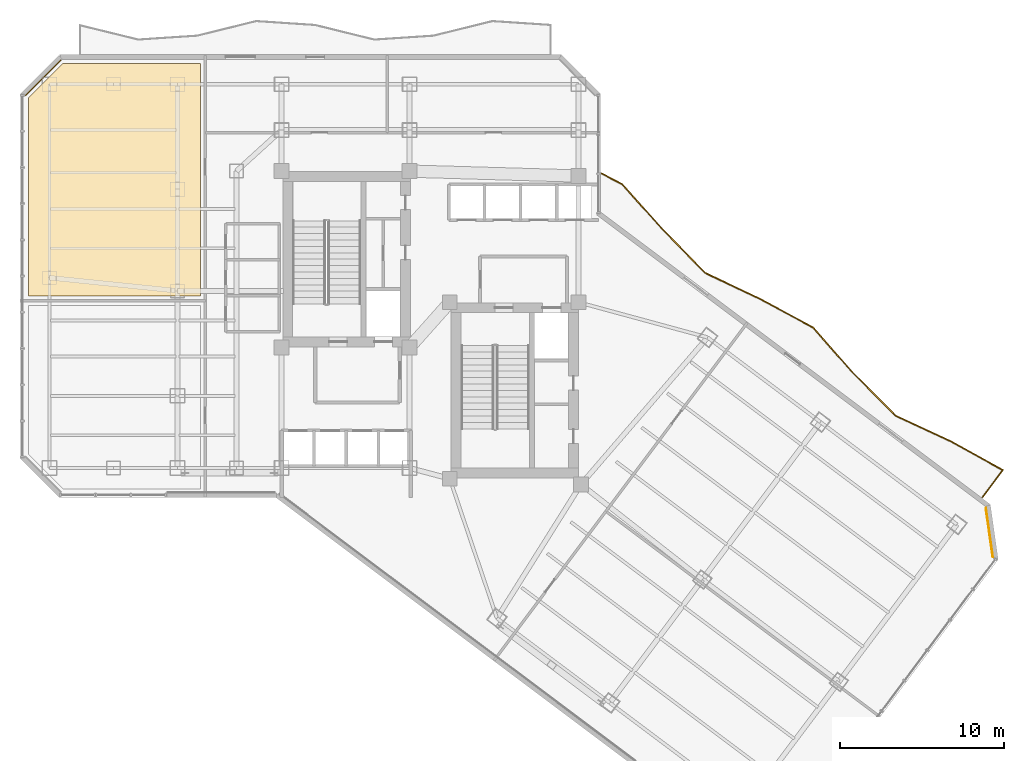
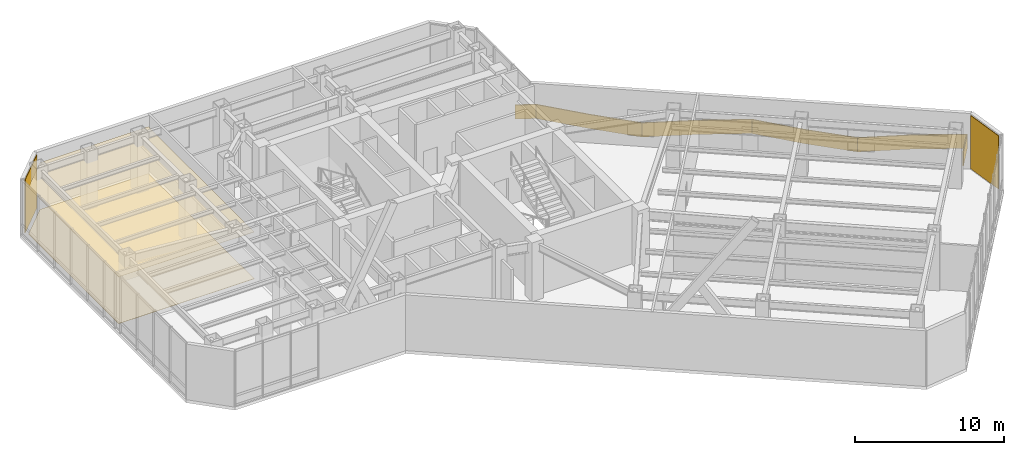
# One storey, part 25 of 27: 4 coverings, 1 railing.
"""IFC4 building model written with IfcOpenShell, lengths in metres."""

from ifc_helpers import new_model, si_unit, direction, frame, origin, origin_2d, place, context, subcontext, project, spatial, polyline, rectangle, outline, extrude, material, layer, layer_set, type_object, element, save


model = new_model("IFC4")

# Units and contexts
model_context = context("Model", 3, precision=1e-05, world=origin(), true_north=direction((0.0, 1.0)))
body_context = subcontext(model_context, "Body", "Model", "MODEL_VIEW")
ifc_project = project(units=[si_unit("LENGTHUNIT", "METRE"), si_unit("AREAUNIT", "SQUARE_METRE"), si_unit("VOLUMEUNIT", "CUBIC_METRE"), si_unit("PLANEANGLEUNIT", "RADIAN"), si_unit("MASSUNIT", "GRAM", prefix="KILO")], contexts=[model_context])

# Site, building, storey
site_placement = place(None, origin())
site = spatial("IfcSite", under=ifc_project, at=site_placement, CompositionType="ELEMENT")
building_placement = place(site_placement, origin())
building = spatial("IfcBuilding", under=site, at=building_placement, Name="Hatsunagi Terrace Concourse", CompositionType="ELEMENT")
storey_placement = place(building_placement, frame((0.0, 0.0, 96.449951171875)))
storey = spatial("IfcBuildingStorey", under=building, at=storey_placement, Name="L25", CompositionType="ELEMENT", Elevation=96.449951171875)

# Covering
ifc_material_1 = material(Name="Acoustic mineral board", Category="gypsum")
ifc_layer_1 = layer(ifc_material_1, 0.02001953125)
ifc_layer_set_1 = layer_set([ifc_layer_1], Name="AcousticMineralCeiling_20")
covering_type_1 = type_object("IfcCoveringType", Name="AcousticMineralCeiling_20", PredefinedType="CEILING", material=ifc_layer_set_1)
covering_1_placement = place(storey_placement, frame((0.0, 0.0, 3.830078125)))
element("IfcCovering", 1, at=covering_1_placement, inside=storey, type_object=covering_type_1, Name="Suspended Ceiling L25-1", PredefinedType="CEILING", context=body_context, shape_type="SweptSolid", body=[
    extrude(outline(polyline([(10.1298828125, 47.780029296875), (10.1298828125, 35.699951171875), (20.60009765625, 35.699951171875), (20.60009765625, 49.8701171875), (12.219970703125, 49.8701171875), (10.1298828125, 47.780029296875)])), origin(), (0.0, 0.0, 1.0), 0.02001953125),
])

# Railing
ifc_material_2 = material(Name="Laminated Glass and Stainless Steel Guard", Category="steel")
ifc_layer_2 = layer(ifc_material_2, 0.070068359375)
ifc_layer_set_2 = layer_set([ifc_layer_2], Name="BalconyGlassGuardRail_1150")
railing_type = type_object("IfcRailingType", Name="BalconyGlassGuardRail_1150", PredefinedType="BALUSTRADE", material=ifc_layer_set_2)
railing_placement = place(storey_placement, origin())
element("IfcRailing", 2, at=railing_placement, inside=storey, type_object=railing_type, Name="Engawa Balcony Guard GRD-01 L25-BSE-1", PredefinedType="BALUSTRADE", context=body_context, shape_type="SweptSolid", body=[
    extrude(outline(polyline([(45.062255859375, 43.19189453125), (45.02978515625, 43.1298828125), (46.292236328125, 42.468994140625), (48.75537109375, 39.72216796875), (51.332275390625, 37.07421875), (54.694091796875, 35.478759765625), (57.913818359375, 33.7451171875), (60.360595703125, 30.971923828125), (62.964599609375, 28.35791015625), (66.343017578125, 26.788818359375), (69.46484375, 25.060791015625), (68.241943359375, 23.430908203125), (68.298095703125, 23.388916015625), (69.569091796875, 25.083251953125), (66.375, 26.851318359375), (63.00537109375, 28.416015625), (60.41162109375, 31.02001953125), (57.9580078125, 33.80078125), (54.725830078125, 35.541259765625), (51.373779296875, 37.1318359375), (48.806640625, 39.77001953125), (46.335693359375, 42.525146484375), (45.062255859375, 43.19189453125)])), origin(), (0.0, 0.0, 1.0), 1.150146484375),
])

# Coverings
ifc_material_3 = material(Name="Granite stone paving", Category="masonry")
ifc_layer_3 = layer(ifc_material_3, 0.02490234375)
ifc_layer_set_3 = layer_set([ifc_layer_3], Name="GraniteStoneFlooring_25")
covering_type_2 = type_object("IfcCoveringType", Name="GraniteStoneFlooring_25", PredefinedType="FLOORING", material=ifc_layer_set_3)
covering_2_placement = place(storey_placement, origin())
element("IfcCovering", 3, at=covering_2_placement, inside=storey, type_object=covering_type_2, Name="Finished Flooring L25-1", PredefinedType="FLOORING", context=body_context, shape_type="SweptSolid", body=[
    extrude(outline(polyline([(10.1298828125, 47.780029296875), (10.1298828125, 35.699951171875), (20.60009765625, 35.699951171875), (20.60009765625, 49.8701171875), (12.219970703125, 49.8701171875), (10.1298828125, 47.780029296875)])), origin(), (0.0, 0.0, 1.0), 0.025146484375),
])
ifc_material_4 = material(Name="Unglazed Warm Terracotta Rainscreen Tile", Category="masonry")
ifc_layer_4 = layer(ifc_material_4, 0.044921875)
ifc_layer_set_4 = layer_set([ifc_layer_4], Name="TerracottaRainscreenCladding_45")
covering_type_3 = type_object("IfcCoveringType", Name="TerracottaRainscreenCladding_45", PredefinedType="CLADDING", material=ifc_layer_set_4)
for number, where, z_axis, x_axis, name in (
    (4, (68.700927734375, 21.258056640625, 0.10009765625), (0.0, 0.0, 1.0), (0.141250262458, -0.989973920543, 0.0), "Terracotta Rainscreen Cladding L25-02"),
    (5, (11.013916015625, 48.986083984375, 0.10009765625), (0.0, 0.0, 1.0), (0.707106781187, 0.707106781187, 0.0), "Terracotta Rainscreen Cladding L25-10"),
):
    element("IfcCovering", number, at=place(storey_placement, frame(where, z_axis=z_axis, x_axis=x_axis)), inside=storey, type_object=covering_type_3, Name=name, PredefinedType="CLADDING", context=body_context, shape_type="SweptSolid", body=[
        extrude(rectangle(XDim=3.0380859375, YDim=0.044921875, at=origin_2d()), origin(), (0.0, 0.0, 1.0), 4.35009765625),
    ])

save(model, "model.ifc")
